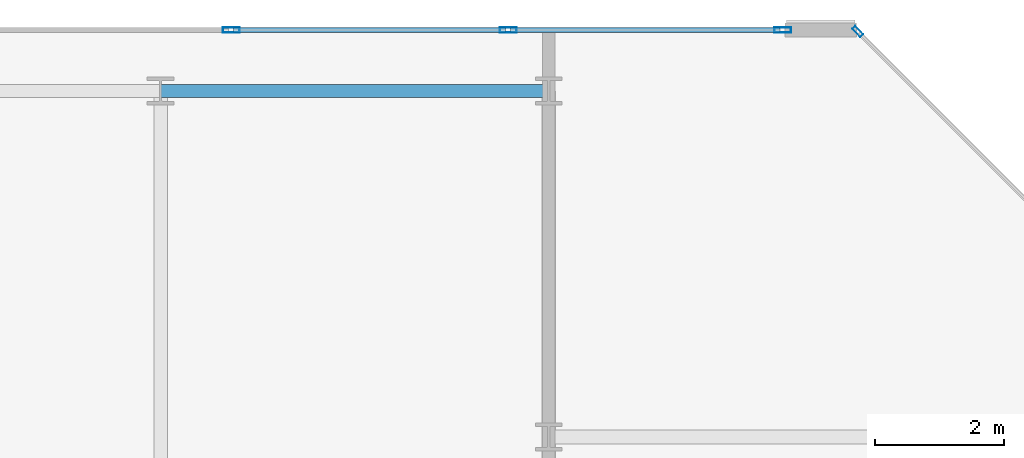
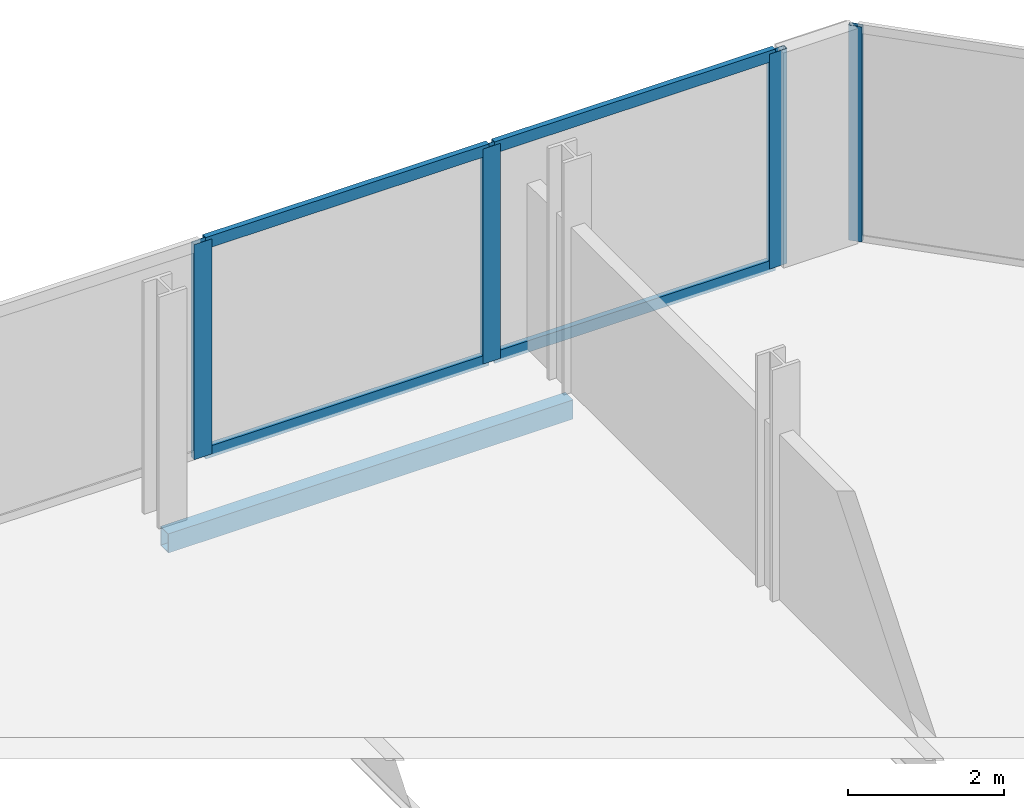
# One storey, part 12 of 16: 8 members, 1 beam, 2 elements without a shape of their own.
"""IFC4 building model written with IfcOpenShell, lengths in metres."""

from ifc_helpers import new_model, si_unit, direction, frame, origin, origin_2d, place, context, subcontext, project, spatial, hollow_rectangle, extrude, material, layer, layer_set, material_profile, profile_set, type_object, element, aggregate, save


model = new_model("IFC4")

# Units and contexts
model_context = context("Model", 3, precision=1e-05, world=origin(), true_north=direction((0.0, 1.0)))
body_context = subcontext(model_context, "Body", "Model", "MODEL_VIEW")
ifc_project = project(units=[si_unit("LENGTHUNIT", "METRE"), si_unit("AREAUNIT", "SQUARE_METRE"), si_unit("VOLUMEUNIT", "CUBIC_METRE"), si_unit("PLANEANGLEUNIT", "RADIAN"), si_unit("MASSUNIT", "GRAM", prefix="KILO")], contexts=[model_context])

# Site, building, storey
site_placement = place(None, origin())
site = spatial("IfcSite", under=ifc_project, at=site_placement, CompositionType="ELEMENT")
building_placement = place(site_placement, origin())
building = spatial("IfcBuilding", under=site, at=building_placement, Name="Tanjung Sevakor Pilgrim Tower", CompositionType="ELEMENT")
storey_placement = place(building_placement, frame((0.0, 0.0, 275.219970703125)))
storey = spatial("IfcBuildingStorey", under=building, at=storey_placement, Name="L77", CompositionType="ELEMENT", Elevation=275.219970703125)

# Beam
ifc_material_1 = material(Name="Steel S355J2", Category="steel")
ifc_material_profile_1 = material_profile(ifc_material_1, hollow_rectangle(XDim=0.199951171875, YDim=0.300048828125, WallThickness=0.012451171875, at=origin_2d()))
ifc_profile_set_1 = profile_set([ifc_material_profile_1], Name="Steel S355J2")
beam_type = type_object("IfcBeamType", Name="BM-B-SP3-RHS_300x200x12.5", PredefinedType="SPANDREL", material=ifc_profile_set_1)
beam_placement = place(storey_placement, frame((84.0, 53.949951171875, -0.369873046875), z_axis=(1.0, 0.0, 0.0), x_axis=(0.0, 1.0, 0.0)))
element("IfcBeam", 1, at=beam_placement, inside=storey, type_object=beam_type, Name="L77 Spandrel EAST N-06", PredefinedType="SPANDREL", context=body_context, shape_type="SweptSolid", body=[
    extrude(hollow_rectangle(XDim=0.199951171875, YDim=0.300048828125, WallThickness=0.012451171875, at=origin_2d()), origin(), (0.0, 0.0, 1.0), 6.0),
])

# Curtain wall, member
ifc_material_2 = material(Name="Aluminium 6063-T6 and Low-E Glass", Category="aluminium")
ifc_layer_1 = layer(ifc_material_2, 0.179931640625)
ifc_layer_set_1 = layer_set([ifc_layer_1], Name="CW-SYS-CHAM")
curtain_wall_type_1 = type_object("IfcCurtainWallType", Name="CW-SYS-CHAM", PredefinedType="NOTDEFINED", material=ifc_layer_set_1)
curtain_wall_1_placement = place(storey_placement, origin())
curtain_wall_1 = element("IfcCurtainWall", 2, at=curtain_wall_1_placement, inside=storey, type_object=curtain_wall_type_1, Name="L77 Curtain Wall CW-CHM-L77-EAST-3", PredefinedType="NOTDEFINED")
ifc_material_3 = material(Name="Aluminium 6063-T6", Category="aluminium")
ifc_material_profile_2 = material_profile(ifc_material_3, hollow_rectangle(XDim=0.06494140625, YDim=0.179931640625, WallThickness=0.00390625, at=origin_2d()))
ifc_profile_set_2 = profile_set([ifc_material_profile_2], Name="Aluminium 6063-T6")
member_type_1 = type_object("IfcMemberType", Name="TYPE-CWM-1", PredefinedType="MULLION", material=ifc_profile_set_2)
member_1_placement = place(storey_placement, frame((94.77734375, 54.866943359375, 0.0), z_axis=(0.0, 0.0, 1.0), x_axis=(-0.707106781187, -0.707106781187, 0.0)))
member_1 = element("IfcMember", 3, at=member_1_placement, type_object=member_type_1, Name="CW-CHM mullion 2", PredefinedType="MULLION", context=body_context, shape_type="SweptSolid", body=[
    extrude(hollow_rectangle(XDim=0.06494140625, YDim=0.179931640625, WallThickness=0.00390625, at=origin_2d()), origin(), (0.0, 0.0, 1.0), 3.3701171875),
])
aggregate(curtain_wall_1, [member_1])

# Curtain wall, members
ifc_material_4 = material(Name="Aluminium 6063-T6 and Low-E Glass", Category="aluminium")
ifc_layer_2 = layer(ifc_material_4, 0.219970703125)
ifc_layer_set_2 = layer_set([ifc_layer_2], Name="CW-SYS-CRNE")
curtain_wall_type_2 = type_object("IfcCurtainWallType", Name="CW-SYS-CRNE", PredefinedType="NOTDEFINED", material=ifc_layer_set_2)
curtain_wall_2_placement = place(storey_placement, origin())
curtain_wall_2 = element("IfcCurtainWall", 4, at=curtain_wall_2_placement, inside=storey, type_object=curtain_wall_type_2, Name="L77 Curtain Wall CW-CRN-L77-EAST-4-1", PredefinedType="NOTDEFINED")
ifc_material_5 = material(Name="Aluminium 6063-T6", Category="aluminium")
ifc_material_profile_3 = material_profile(ifc_material_5, hollow_rectangle(XDim=0.080078125, YDim=0.260009765625, WallThickness=0.0048828125, at=origin_2d()))
ifc_profile_set_3 = profile_set([ifc_material_profile_3], Name="Aluminium 6063-T6")
member_type_2 = type_object("IfcMemberType", Name="TYPE-CWM-3", PredefinedType="MULLION", material=ifc_profile_set_3)
member_2_placement = place(storey_placement, frame((93.614501953125, 54.889892578125, 0.0), z_axis=(0.0, 0.0, 1.0), x_axis=(0.0, -1.0, 0.0)))
member_2 = element("IfcMember", 5, at=member_2_placement, type_object=member_type_2, Name="CW-CRE mullion 1", PredefinedType="MULLION", context=body_context, shape_type="SweptSolid", body=[
    extrude(hollow_rectangle(XDim=0.080078125, YDim=0.260009765625, WallThickness=0.0048828125, at=origin_2d()), origin(), (0.0, 0.0, 1.0), 3.3701171875),
])
member_3_placement = place(storey_placement, frame((89.37255859375, 54.889892578125, 0.0), z_axis=(0.0, 0.0, 1.0), x_axis=(0.0, -1.0, 0.0)))
member_3 = element("IfcMember", 6, at=member_3_placement, type_object=member_type_2, Name="CW-CRE mullion 2", PredefinedType="MULLION", context=body_context, shape_type="SweptSolid", body=[
    extrude(hollow_rectangle(XDim=0.080078125, YDim=0.260009765625, WallThickness=0.0048828125, at=origin_2d()), origin(), (0.0, 0.0, 1.0), 3.3701171875),
])
member_4_placement = place(storey_placement, frame((85.0908203125, 54.889892578125, 0.0), z_axis=(0.0, 0.0, 1.0), x_axis=(0.0, -1.0, 0.0)))
member_4 = element("IfcMember", 7, at=member_4_placement, type_object=member_type_2, Name="CW-CRE mullion 3", PredefinedType="MULLION", context=body_context, shape_type="SweptSolid", body=[
    extrude(hollow_rectangle(XDim=0.080078125, YDim=0.260009765625, WallThickness=0.0048828125, at=origin_2d()), origin(), (0.0, 0.0, 1.0), 3.3701171875),
])
ifc_material_6 = material(Name="Aluminium 6063-T6", Category="aluminium")
ifc_material_profile_4 = material_profile(ifc_material_6, hollow_rectangle(XDim=0.080078125, YDim=0.179931640625, WallThickness=0.0048828125, at=origin_2d()))
ifc_profile_set_4 = profile_set([ifc_material_profile_4], Name="Aluminium 6063-T6")
member_type_3 = type_object("IfcMemberType", Name="TYPE-CWT-3", PredefinedType="USERDEFINED", material=ifc_profile_set_4)
member_5_placement = place(storey_placement, frame((93.574462890625, 54.889892578125, 0.0400390625), z_axis=(-1.0, 0.0, 0.0), x_axis=(0.0, -1.0, 0.0)))
member_5 = element("IfcMember", 8, at=member_5_placement, type_object=member_type_3, Name="CW-CRE transom 1.1", ObjectType="TRANSOM", PredefinedType="USERDEFINED", context=body_context, shape_type="SweptSolid", body=[
    extrude(hollow_rectangle(XDim=0.080078125, YDim=0.179931640625, WallThickness=0.0048828125, at=origin_2d()), origin(), (0.0, 0.0, 1.0), 4.161865234375),
])
member_6_placement = place(storey_placement, frame((93.574462890625, 54.889892578125, 3.330078125), z_axis=(-1.0, 0.0, 0.0), x_axis=(0.0, -1.0, 0.0)))
member_6 = element("IfcMember", 9, at=member_6_placement, type_object=member_type_3, Name="CW-CRE transom 1.2", ObjectType="TRANSOM", PredefinedType="USERDEFINED", context=body_context, shape_type="SweptSolid", body=[
    extrude(hollow_rectangle(XDim=0.080078125, YDim=0.179931640625, WallThickness=0.0048828125, at=origin_2d()), origin(), (0.0, 0.0, 1.0), 4.161865234375),
])
member_7_placement = place(storey_placement, frame((89.33251953125, 54.889892578125, 0.0400390625), z_axis=(-1.0, 0.0, 0.0), x_axis=(0.0, -1.0, 0.0)))
member_7 = element("IfcMember", 10, at=member_7_placement, type_object=member_type_3, Name="CW-CRE transom 2.1", ObjectType="TRANSOM", PredefinedType="USERDEFINED", context=body_context, shape_type="SweptSolid", body=[
    extrude(hollow_rectangle(XDim=0.080078125, YDim=0.179931640625, WallThickness=0.0048828125, at=origin_2d()), origin(), (0.0, 0.0, 1.0), 4.20166015625),
])
member_8_placement = place(storey_placement, frame((89.33251953125, 54.889892578125, 3.330078125), z_axis=(-1.0, 0.0, 0.0), x_axis=(0.0, -1.0, 0.0)))
member_8 = element("IfcMember", 11, at=member_8_placement, type_object=member_type_3, Name="CW-CRE transom 2.2", ObjectType="TRANSOM", PredefinedType="USERDEFINED", context=body_context, shape_type="SweptSolid", body=[
    extrude(hollow_rectangle(XDim=0.080078125, YDim=0.179931640625, WallThickness=0.0048828125, at=origin_2d()), origin(), (0.0, 0.0, 1.0), 4.20166015625),
])
aggregate(curtain_wall_2, [member_2, member_3, member_4, member_5, member_6, member_7, member_8])

save(model, "model.ifc")
